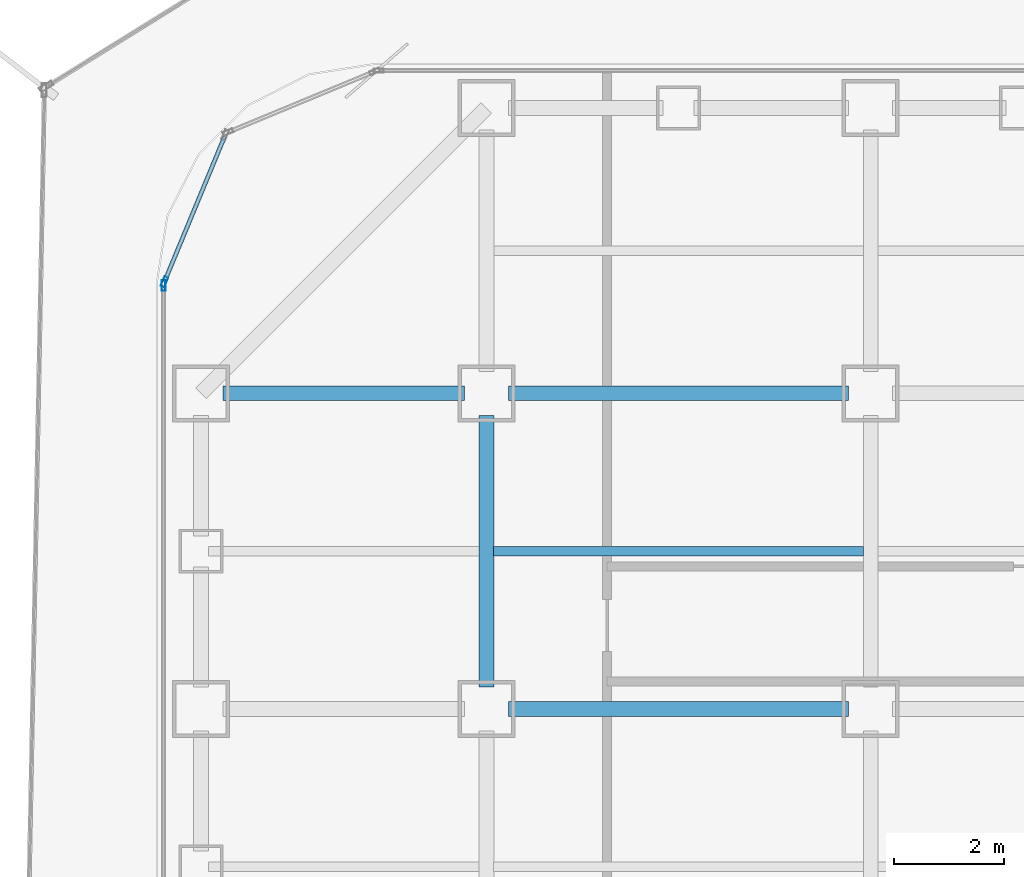
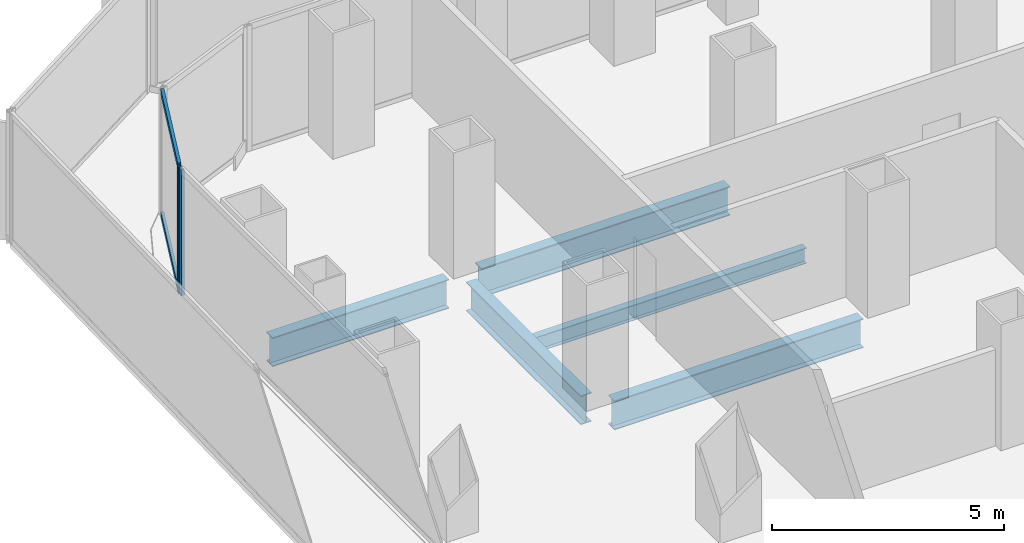
# One storey, part 10 of 21: 5 beams, 4 members, 2 elements without a shape of their own.
"""IFC4 building model written with IfcOpenShell, lengths in metres."""

from ifc_helpers import new_model, si_unit, direction, frame, origin, origin_2d, place, context, subcontext, project, spatial, hollow_rectangle, i_section, extrude, source, transform, mapped, material, layer, layer_set, material_profile, profile_set, type_object, element, aggregate, save


model = new_model("IFC4")

# Units and contexts
model_context = context("Model", 3, precision=1e-05, world=origin(), true_north=direction((0.0, 1.0)))
body_context = subcontext(model_context, "Body", "Model", "MODEL_VIEW")
ifc_project = project(units=[si_unit("LENGTHUNIT", "METRE"), si_unit("AREAUNIT", "SQUARE_METRE"), si_unit("VOLUMEUNIT", "CUBIC_METRE"), si_unit("PLANEANGLEUNIT", "RADIAN"), si_unit("MASSUNIT", "GRAM", prefix="KILO")], contexts=[model_context])

# Site, building, storey
site_placement = place(None, origin())
site = spatial("IfcSite", under=ifc_project, at=site_placement, CompositionType="ELEMENT")
building_placement = place(site_placement, origin())
building = spatial("IfcBuilding", under=site, at=building_placement, Name="Kolveth Station Tower", CompositionType="ELEMENT")
storey_placement = place(building_placement, frame((0.0, 0.0, 26.10009765625)))
storey = spatial("IfcBuildingStorey", under=building, at=storey_placement, Name="L06", CompositionType="ELEMENT", Elevation=26.10009765625)

# Beams
ifc_material_1 = material(Name="Steel S355", Category="steel")
ifc_material_profile_1 = material_profile(ifc_material_1, i_section(OverallWidth=0.26708984375, OverallDepth=0.76611328125, WebThickness=0.014892578125, FlangeThickness=0.023681640625, at=origin_2d()), Name="W760x185")
ifc_profile_set_1 = profile_set([ifc_material_profile_1], Name="Steel S355")
beam_type_1 = type_object("IfcBeamType", Name="Beam_B3", PredefinedType="BEAM", material=ifc_profile_set_1)
shared_shape_1 = source(origin(), body_context, "Body", "SweptSolid", [
    extrude(i_section(OverallWidth=0.26708984375, OverallDepth=0.76611328125, WebThickness=0.014892578125, FlangeThickness=0.023681640625, at=origin_2d()), origin(), (0.0, 0.0, 1.0), 4.400146484375),
])
beam_1_placement = place(storey_placement, frame((1.199951171875, 34.5, -0.6630859375), z_axis=(1.0, 0.0, 0.0), x_axis=(0.0, 1.0, 0.0)))
element("IfcBeam", 1, at=beam_1_placement, inside=storey, type_object=beam_type_1, Name="L06 Primary Girder BM-L06-GY345-1", PredefinedType="BEAM", context=body_context, shape_type="MappedRepresentation", body=[
    mapped(shared_shape_1, transform((0.0, 0.0, 0.0), x_axis=(1.0, 0.0, 0.0), y_axis=(0.0, 1.0, 0.0), z_axis=(0.0, 0.0, 1.0), scale=1.0)),
])
shared_shape_2 = source(origin(), body_context, "Body", "SweptSolid", [
    extrude(i_section(OverallWidth=0.26708984375, OverallDepth=0.76611328125, WebThickness=0.014892578125, FlangeThickness=0.023681640625, at=origin_2d()), origin(), (0.0, 0.0, 1.0), 6.2001953125),
])
for number, where, z_axis, x_axis, name in (
    (2, (6.39990234375, 28.75, -0.6630859375), (1.0, 0.0, 0.0), (0.0, 1.0, 0.0), "L06 Primary Girder BM-L06-GY287-2"),
    (3, (6.39990234375, 34.5, -0.6630859375), (1.0, 0.0, 0.0), (0.0, 1.0, 0.0), "L06 Primary Girder BM-L06-GY345-2"),
):
    element("IfcBeam", number, at=place(storey_placement, frame(where, z_axis=z_axis, x_axis=x_axis)), inside=storey, type_object=beam_type_1, Name=name, PredefinedType="BEAM", context=body_context, shape_type="MappedRepresentation", body=[
        mapped(shared_shape_2, transform((0.0, 0.0, 0.0), x_axis=(1.0, 0.0, 0.0), y_axis=(0.0, 1.0, 0.0), z_axis=(0.0, 0.0, 1.0), scale=1.0)),
    ])
shared_shape_3 = source(origin(), body_context, "Body", "SweptSolid", [
    extrude(i_section(OverallWidth=0.26708984375, OverallDepth=0.76611328125, WebThickness=0.014892578125, FlangeThickness=0.023681640625, at=origin_2d()), origin(), (0.0, 0.0, 1.0), 4.9501953125),
])
beam_2_placement = place(storey_placement, frame((6.0, 29.14990234375, -0.6630859375), z_axis=(0.0, 1.0, 0.0), x_axis=(-1.0, 0.0, 0.0)))
element("IfcBeam", 4, at=beam_2_placement, inside=storey, type_object=beam_type_1, Name="L06 Primary Girder BM-L06-GX60-6", PredefinedType="BEAM", context=body_context, shape_type="MappedRepresentation", body=[
    mapped(shared_shape_3, transform((0.0, 0.0, 0.0), x_axis=(1.0, 0.0, 0.0), y_axis=(0.0, 1.0, 0.0), z_axis=(0.0, 0.0, 1.0), scale=1.0)),
])
ifc_material_profile_2 = material_profile(ifc_material_1, i_section(OverallWidth=0.177978515625, OverallDepth=0.406982421875, WebThickness=0.0078125, FlangeThickness=0.0126953125, at=origin_2d()), Name="W410x60")
ifc_profile_set_2 = profile_set([ifc_material_profile_2], Name="Steel S355")
beam_type_2 = type_object("IfcBeamType", Name="Beam_J1", PredefinedType="JOIST", material=ifc_profile_set_2)
shared_shape_4 = source(origin(), body_context, "Body", "SweptSolid", [
    extrude(i_section(OverallWidth=0.177978515625, OverallDepth=0.406982421875, WebThickness=0.0078125, FlangeThickness=0.0126953125, at=origin_2d()), origin(), (0.0, 0.0, 1.0), 6.73681640625),
])
beam_3_placement = place(storey_placement, frame((6.131591796875, 31.625, -0.483642578125), z_axis=(1.0, 0.0, 0.0), x_axis=(0.0, 1.0, 0.0)))
element("IfcBeam", 5, at=beam_3_placement, inside=storey, type_object=beam_type_2, Name="L06 Secondary Joist JST-L06-2-6", PredefinedType="JOIST", context=body_context, shape_type="MappedRepresentation", body=[
    mapped(shared_shape_4, transform((0.0, 0.0, 0.0), x_axis=(1.0, 0.0, 0.0), y_axis=(0.0, 1.0, 0.0), z_axis=(0.0, 0.0, 1.0), scale=1.0)),
])

# Curtain wall, members
ifc_material_2 = material(Name="Aluminium 6063-T6 and low-E dark glass", Category="aluminium")
ifc_layer = layer(ifc_material_2, 0.179931640625)
ifc_layer_set = layer_set([ifc_layer], Name="Aluminium 6063-T6 and low-E dark glass")
curtain_wall_type = type_object("IfcCurtainWallType", Name="CurtainWall_CW-Z1", PredefinedType="NOTDEFINED", material=ifc_layer_set)
curtain_wall_1_placement = place(storey_placement, origin())
curtain_wall_1 = element("IfcCurtainWall", 6, at=curtain_wall_1_placement, inside=storey, type_object=curtain_wall_type, Name="L06 Inner Thermal Curtain Wall 8", PredefinedType="NOTDEFINED")
ifc_material_3 = material(Name="Black anodized aluminium 6063-T6", Category="aluminium")
ifc_material_profile_3 = material_profile(ifc_material_3, hollow_rectangle(XDim=0.074951171875, YDim=0.159912109375, WallThickness=0.0048828125, at=origin_2d()), Name="ALU-75x160x5")
ifc_profile_set_3 = profile_set([ifc_material_profile_3], Name="Black anodized aluminium 6063-T6")
member_type_1 = type_object("IfcMemberType", Name="Transom_TR1", PredefinedType="USERDEFINED", material=ifc_profile_set_3)
shared_shape_5 = source(origin(), body_context, "Body", "SweptSolid", [
    extrude(hollow_rectangle(XDim=0.074951171875, YDim=0.159912109375, WallThickness=0.0048828125, at=origin_2d()), origin(), (0.0, 0.0, 1.0), 2.819580078125),
])
member_1_placement = place(storey_placement, frame((1.227783203125, 39.17431640625, 0.037353515625), z_axis=(-0.382708655389, -0.923869084389, 0.0), x_axis=(0.923869084389, -0.382708655389, 0.0)))
member_1 = element("IfcMember", 7, at=member_1_placement, type_object=member_type_1, Name="CW-Z1 transom 1.1", ObjectType="TRANSOM", PredefinedType="USERDEFINED", context=body_context, shape_type="MappedRepresentation", body=[
    mapped(shared_shape_5, transform((0.0, 0.0, 0.0), x_axis=(1.0, 0.0, 0.0), y_axis=(0.0, 1.0, 0.0), z_axis=(0.0, 0.0, 1.0), scale=1.0)),
])
member_2_placement = place(storey_placement, frame((1.227783203125, 39.17431640625, 3.282470703125), z_axis=(-0.382708655389, -0.923869084389, 0.0), x_axis=(0.923869084389, -0.382708655389, 0.0)))
member_2 = element("IfcMember", 8, at=member_2_placement, type_object=member_type_1, Name="CW-Z1 transom 1.2", ObjectType="TRANSOM", PredefinedType="USERDEFINED", context=body_context, shape_type="MappedRepresentation", body=[
    mapped(shared_shape_5, transform((0.0, 0.0, 0.0), x_axis=(1.0, 0.0, 0.0), y_axis=(0.0, 1.0, 0.0), z_axis=(0.0, 0.0, 1.0), scale=1.0)),
])
ifc_material_profile_4 = material_profile(ifc_material_3, hollow_rectangle(XDim=0.074951171875, YDim=0.18994140625, WallThickness=0.0048828125, at=origin_2d()), Name="ALU-75x190x5")
ifc_profile_set_4 = profile_set([ifc_material_profile_4], Name="Black anodized aluminium 6063-T6")
member_type_2 = type_object("IfcMemberType", Name="Mullion_ML1", PredefinedType="MULLION", material=ifc_profile_set_4)
shared_shape_6 = source(origin(), body_context, "Body", "SweptSolid", [
    extrude(hollow_rectangle(XDim=0.074951171875, YDim=0.18994140625, WallThickness=0.0048828125, at=origin_2d()), origin(), (0.0, 0.0, 1.0), 3.31982421875),
])
member_3_placement = place(storey_placement, frame((0.13427734375, 36.53466796875, 0.0), z_axis=(0.0, 0.0, 1.0), x_axis=(0.923883857728, -0.382672990201, 0.0)))
member_3 = element("IfcMember", 9, at=member_3_placement, type_object=member_type_2, Name="CW-Z1 mullion 2", PredefinedType="MULLION", context=body_context, shape_type="MappedRepresentation", body=[
    mapped(shared_shape_6, transform((0.0, 0.0, 0.0), x_axis=(1.0, 0.0, 0.0), y_axis=(0.0, 1.0, 0.0), z_axis=(0.0, 0.0, 1.0), scale=1.0)),
])
aggregate(curtain_wall_1, [member_3, member_1, member_2])

# Curtain wall, member
curtain_wall_2_placement = place(storey_placement, origin())
curtain_wall_2 = element("IfcCurtainWall", 10, at=curtain_wall_2_placement, inside=storey, type_object=curtain_wall_type, Name="L06 Inner Thermal Curtain Wall 9", PredefinedType="NOTDEFINED")
member_4_placement = place(storey_placement, frame((0.1201171875, 36.46240234375, 0.0), z_axis=(0.0, 0.0, 1.0), x_axis=(1.0, 0.0, 0.0)))
member_4 = element("IfcMember", 11, at=member_4_placement, type_object=member_type_2, Name="CW-Z1 mullion 1", PredefinedType="MULLION", context=body_context, shape_type="MappedRepresentation", body=[
    mapped(shared_shape_6, transform((0.0, 0.0, 0.0), x_axis=(1.0, 0.0, 0.0), y_axis=(0.0, 1.0, 0.0), z_axis=(0.0, 0.0, 1.0), scale=1.0)),
])
aggregate(curtain_wall_2, [member_4])

save(model, "model.ifc")
